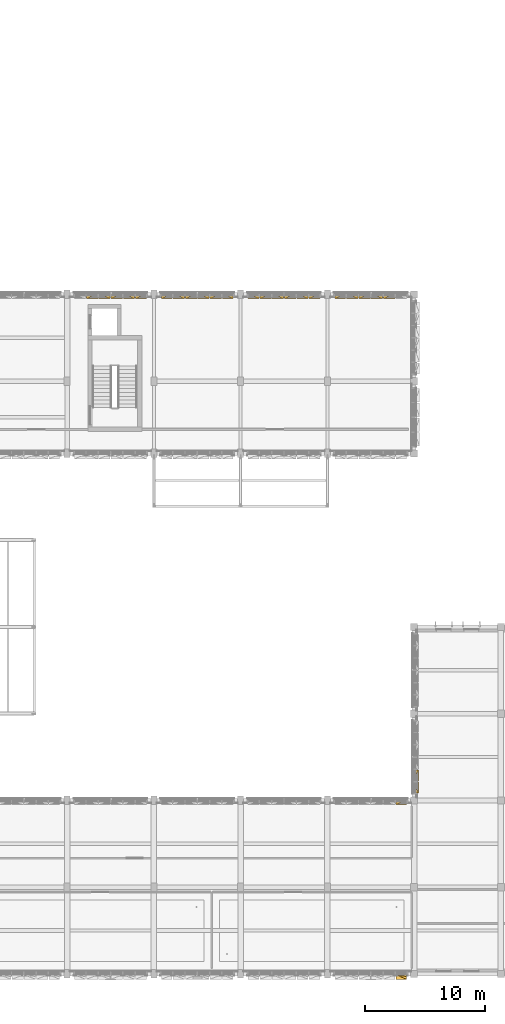
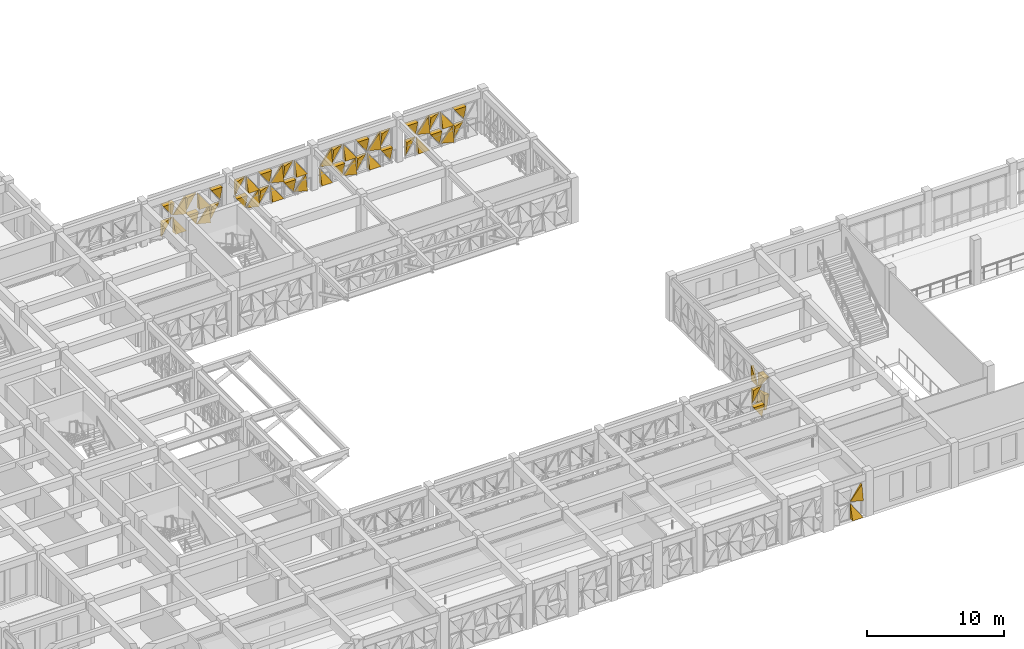
# One storey, part 87 of 88: 52 coverings.
"""IFC4 building model written with IfcOpenShell, lengths in metres."""

from ifc_helpers import new_model, si_unit, direction, frame, origin, place, context, subcontext, project, spatial, polygons, material, layer, layer_set, type_object, element, save


model = new_model("IFC4")

# Units and contexts
model_context = context("Model", 3, precision=1e-05, world=origin(), true_north=direction((0.0, 1.0)))
body_context = subcontext(model_context, "Body", "Model", "MODEL_VIEW")
ifc_project = project(units=[si_unit("LENGTHUNIT", "METRE"), si_unit("AREAUNIT", "SQUARE_METRE"), si_unit("VOLUMEUNIT", "CUBIC_METRE"), si_unit("PLANEANGLEUNIT", "RADIAN"), si_unit("MASSUNIT", "GRAM", prefix="KILO")], contexts=[model_context])

# Site, building, storey
site_placement = place(None, origin())
site = spatial("IfcSite", under=ifc_project, at=site_placement, CompositionType="ELEMENT")
building_placement = place(site_placement, origin())
building = spatial("IfcBuilding", under=site, at=building_placement, Name="Alvorim Cloister Faculty of Sciences", CompositionType="ELEMENT")
storey_placement = place(building_placement, frame((0.0, 0.0, 4.5)))
storey = spatial("IfcBuildingStorey", under=building, at=storey_placement, Name="L01", CompositionType="ELEMENT", Elevation=4.5)

# Coverings
ifc_material = material(Name="Perforated Bronze Alloy Sheet", Category="metal")
ifc_layer = layer(ifc_material, 0.0380859375)
ifc_layer_set = layer_set([ifc_layer], Name="Perforated Bronze Alloy Sheet")
covering_type = type_object("IfcCoveringType", Name="COV-TRI-BRZ", PredefinedType="CLADDING", material=ifc_layer_set)
covering_1_placement = place(storey_placement, frame((37.597412109375, 56.445068359375, 0.159912109375), z_axis=(0.0, 0.0, 1.0), x_axis=(1.0, 0.0, 0.0)))
element("IfcCovering", 1, at=covering_1_placement, inside=storey, type_object=covering_type, Name="Diagonal Solid Metal Triangle TRI-TL", PredefinedType="CLADDING", context=body_context, shape_type="Tessellation", body=[
    polygons([(0.943068359375, 0.0260009765625, 1.344970703125), (0.0, 0.0260009765625, 1.344970703125), (0.0, 0.0260009765625, 0.002), (0.943068359375, -0.03, 1.344970703125), (0.0, -0.4, 1.344970703125), (0.0, -0.13999999999999999, 0.002)], [[[1, 3, 2]], [[4, 5, 6]], [[1, 2, 5, 4]], [[2, 3, 6, 5]], [[3, 1, 4, 6]]], closed=True),
])
covering_2_placement = place(storey_placement, frame((37.597412109375, 56.445068359375, 1.6650390625), z_axis=(0.0, 0.0, 1.0), x_axis=(1.0, 0.0, 0.0)))
element("IfcCovering", 2, at=covering_2_placement, inside=storey, type_object=covering_type, Name="Diagonal Solid Metal Triangle TRI-TR", PredefinedType="CLADDING", context=body_context, shape_type="Tessellation", body=[
    polygons([(0.945068359375, 0.0260009765625, 0.002), (0.945068359375, 0.0260009765625, 1.344970703125), (0.002, 0.0260009765625, 1.344970703125), (0.945068359375, -0.03, 0.002), (0.945068359375, -0.4, 1.344970703125), (0.002, -0.4, 1.344970703125)], [[[1, 3, 2]], [[4, 5, 6]], [[1, 2, 5, 4]], [[2, 3, 6, 5]], [[3, 1, 4, 6]]], closed=True),
])
covering_3_placement = place(storey_placement, frame((38.617431640625, 56.445068359375, 0.159912109375), z_axis=(0.0, 0.0, 1.0), x_axis=(1.0, 0.0, 0.0)))
element("IfcCovering", 3, at=covering_3_placement, inside=storey, type_object=covering_type, Name="Diagonal Solid Metal Triangle TRI-BL", PredefinedType="CLADDING", context=body_context, shape_type="Tessellation", body=[
    polygons([(0.0, 0.0260009765625, 0.0), (0.943068359375, 0.0260009765625, 0.0), (0.0, 0.0260009765625, 1.342970703125), (0.0, -0.4, 0.0), (0.943068359375, -0.4, 0.0), (0.0, -0.03, 1.342970703125)], [[[1, 3, 2]], [[4, 5, 6]], [[1, 2, 5, 4]], [[2, 3, 6, 5]], [[3, 1, 4, 6]]], closed=True),
])
covering_4_placement = place(storey_placement, frame((38.617431640625, 56.445068359375, 1.6650390625), z_axis=(0.0, 0.0, 1.0), x_axis=(1.0, 0.0, 0.0)))
element("IfcCovering", 4, at=covering_4_placement, inside=storey, type_object=covering_type, Name="Diagonal Solid Metal Triangle TRI-BR", PredefinedType="CLADDING", context=body_context, shape_type="Tessellation", body=[
    polygons([(0.002, 0.0260009765625, 0.0), (0.945068359375, 0.0260009765625, 0.0), (0.945068359375, 0.0260009765625, 1.342970703125), (0.002, -0.03, 0.0), (0.945068359375, -0.4, 0.0), (0.945068359375, -0.18000000000000002, 1.342970703125)], [[[1, 3, 2]], [[4, 5, 6]], [[1, 2, 5, 4]], [[2, 3, 6, 5]], [[3, 1, 4, 6]]], closed=True),
])
covering_5_placement = place(storey_placement, frame((39.637451171875, 56.445068359375, 0.159912109375), z_axis=(0.0, 0.0, 1.0), x_axis=(1.0, 0.0, 0.0)))
element("IfcCovering", 5, at=covering_5_placement, inside=storey, type_object=covering_type, Name="Diagonal Solid Metal Triangle TRI-TR", PredefinedType="CLADDING", context=body_context, shape_type="Tessellation", body=[
    polygons([(0.945068359375, 0.0260009765625, 0.002), (0.945068359375, 0.0260009765625, 1.344970703125), (0.002, 0.0260009765625, 1.344970703125), (0.945068359375, -0.03, 0.002), (0.945068359375, -0.4, 1.344970703125), (0.002, -0.4, 1.344970703125)], [[[1, 3, 2]], [[4, 5, 6]], [[1, 2, 5, 4]], [[2, 3, 6, 5]], [[3, 1, 4, 6]]], closed=True),
])
covering_6_placement = place(storey_placement, frame((39.637451171875, 56.445068359375, 1.6650390625), z_axis=(0.0, 0.0, 1.0), x_axis=(1.0, 0.0, 0.0)))
element("IfcCovering", 6, at=covering_6_placement, inside=storey, type_object=covering_type, Name="Diagonal Solid Metal Triangle TRI-TL", PredefinedType="CLADDING", context=body_context, shape_type="Tessellation", body=[
    polygons([(0.943068359375, 0.0260009765625, 1.344970703125), (0.0, 0.0260009765625, 1.344970703125), (0.0, 0.0260009765625, 0.002), (0.943068359375, -0.03, 1.344970703125), (0.0, -0.4, 1.344970703125), (0.0, -0.13999999999999999, 0.002)], [[[1, 3, 2]], [[4, 5, 6]], [[1, 2, 5, 4]], [[2, 3, 6, 5]], [[3, 1, 4, 6]]], closed=True),
])
covering_7_placement = place(storey_placement, frame((40.657470703125, 56.445068359375, 0.159912109375), z_axis=(0.0, 0.0, 1.0), x_axis=(1.0, 0.0, 0.0)))
element("IfcCovering", 7, at=covering_7_placement, inside=storey, type_object=covering_type, Name="Diagonal Solid Metal Triangle TRI-BR", PredefinedType="CLADDING", context=body_context, shape_type="Tessellation", body=[
    polygons([(0.002, 0.0260009765625, 0.0), (0.945068359375, 0.0260009765625, 0.0), (0.945068359375, 0.0260009765625, 1.342970703125), (0.002, -0.03, 0.0), (0.945068359375, -0.4, 0.0), (0.945068359375, -0.18000000000000002, 1.342970703125)], [[[1, 3, 2]], [[4, 5, 6]], [[1, 2, 5, 4]], [[2, 3, 6, 5]], [[3, 1, 4, 6]]], closed=True),
])
covering_8_placement = place(storey_placement, frame((40.657470703125, 56.445068359375, 1.6650390625), z_axis=(0.0, 0.0, 1.0), x_axis=(1.0, 0.0, 0.0)))
element("IfcCovering", 8, at=covering_8_placement, inside=storey, type_object=covering_type, Name="Diagonal Solid Metal Triangle TRI-BL", PredefinedType="CLADDING", context=body_context, shape_type="Tessellation", body=[
    polygons([(0.0, 0.0260009765625, 0.0), (0.943068359375, 0.0260009765625, 0.0), (0.0, 0.0260009765625, 1.342970703125), (0.0, -0.4, 0.0), (0.943068359375, -0.4, 0.0), (0.0, -0.03, 1.342970703125)], [[[1, 3, 2]], [[4, 5, 6]], [[1, 2, 5, 4]], [[2, 3, 6, 5]], [[3, 1, 4, 6]]], closed=True),
])
covering_9_placement = place(storey_placement, frame((41.677490234375, 56.445068359375, 0.159912109375), z_axis=(0.0, 0.0, 1.0), x_axis=(1.0, 0.0, 0.0)))
element("IfcCovering", 9, at=covering_9_placement, inside=storey, type_object=covering_type, Name="Diagonal Solid Metal Triangle TRI-TL", PredefinedType="CLADDING", context=body_context, shape_type="Tessellation", body=[
    polygons([(0.905470703125, 0.0260009765625, 1.344970703125), (0.0, 0.0260009765625, 1.344970703125), (0.0, 0.0260009765625, 0.002), (0.905470703125, -0.03, 1.344970703125), (0.0, -0.4, 1.344970703125), (0.0, -0.13999999999999999, 0.002)], [[[1, 3, 2]], [[4, 5, 6]], [[1, 2, 5, 4]], [[2, 3, 6, 5]], [[3, 1, 4, 6]]], closed=True),
])
for number, where, z_axis, x_axis, name in (
    (10, (41.677490234375, 56.445068359375, 1.6650390625), (0.0, 0.0, 1.0), (1.0, 0.0, 0.0), "Diagonal Solid Metal Triangle TRI-TR"),
    (11, (43.81494140625, 56.445068359375, 0.159912109375), (0.0, 0.0, 1.0), (1.0, 0.0, 0.0), "Diagonal Solid Metal Triangle TRI-TR"),
):
    element("IfcCovering", number, at=place(storey_placement, frame(where, z_axis=z_axis, x_axis=x_axis)), inside=storey, type_object=covering_type, Name=name, PredefinedType="CLADDING", context=body_context, shape_type="Tessellation", body=[
        polygons([(0.907470703125, 0.0260009765625, 0.002), (0.907470703125, 0.0260009765625, 1.344970703125), (0.002, 0.0260009765625, 1.344970703125), (0.907470703125, -0.03, 0.002), (0.907470703125, -0.4, 1.344970703125), (0.002, -0.4, 1.344970703125)], [[[1, 3, 2]], [[4, 5, 6]], [[1, 2, 5, 4]], [[2, 3, 6, 5]], [[3, 1, 4, 6]]], closed=True),
    ])
covering_10_placement = place(storey_placement, frame((43.81494140625, 56.445068359375, 1.6650390625), z_axis=(0.0, 0.0, 1.0), x_axis=(1.0, 0.0, 0.0)))
element("IfcCovering", 12, at=covering_10_placement, inside=storey, type_object=covering_type, Name="Diagonal Solid Metal Triangle TRI-TL", PredefinedType="CLADDING", context=body_context, shape_type="Tessellation", body=[
    polygons([(0.905470703125, 0.0260009765625, 1.344970703125), (0.0, 0.0260009765625, 1.344970703125), (0.0, 0.0260009765625, 0.002), (0.905470703125, -0.03, 1.344970703125), (0.0, -0.4, 1.344970703125), (0.0, -0.13999999999999999, 0.002)], [[[1, 3, 2]], [[4, 5, 6]], [[1, 2, 5, 4]], [[2, 3, 6, 5]], [[3, 1, 4, 6]]], closed=True),
])
covering_11_placement = place(storey_placement, frame((44.797607421875, 56.445068359375, 0.159912109375), z_axis=(0.0, 0.0, 1.0), x_axis=(1.0, 0.0, 0.0)))
element("IfcCovering", 13, at=covering_11_placement, inside=storey, type_object=covering_type, Name="Diagonal Solid Metal Triangle TRI-BR", PredefinedType="CLADDING", context=body_context, shape_type="Tessellation", body=[
    polygons([(0.002, 0.0260009765625, 0.0), (0.945068359375, 0.0260009765625, 0.0), (0.945068359375, 0.0260009765625, 1.342970703125), (0.002, -0.03, 0.0), (0.945068359375, -0.4, 0.0), (0.945068359375, -0.18000000000000002, 1.342970703125)], [[[1, 3, 2]], [[4, 5, 6]], [[1, 2, 5, 4]], [[2, 3, 6, 5]], [[3, 1, 4, 6]]], closed=True),
])
covering_12_placement = place(storey_placement, frame((44.797607421875, 56.445068359375, 1.6650390625), z_axis=(0.0, 0.0, 1.0), x_axis=(1.0, 0.0, 0.0)))
element("IfcCovering", 14, at=covering_12_placement, inside=storey, type_object=covering_type, Name="Diagonal Solid Metal Triangle TRI-BL", PredefinedType="CLADDING", context=body_context, shape_type="Tessellation", body=[
    polygons([(0.0, 0.0260009765625, 0.0), (0.943068359375, 0.0260009765625, 0.0), (0.0, 0.0260009765625, 1.342970703125), (0.0, -0.4, 0.0), (0.943068359375, -0.4, 0.0), (0.0, -0.03, 1.342970703125)], [[[1, 3, 2]], [[4, 5, 6]], [[1, 2, 5, 4]], [[2, 3, 6, 5]], [[3, 1, 4, 6]]], closed=True),
])
covering_13_placement = place(storey_placement, frame((45.8173828125, 56.445068359375, 0.159912109375), z_axis=(0.0, 0.0, 1.0), x_axis=(1.0, 0.0, 0.0)))
element("IfcCovering", 15, at=covering_13_placement, inside=storey, type_object=covering_type, Name="Diagonal Solid Metal Triangle TRI-TL", PredefinedType="CLADDING", context=body_context, shape_type="Tessellation", body=[
    polygons([(0.943068359375, 0.0260009765625, 1.344970703125), (0.0, 0.0260009765625, 1.344970703125), (0.0, 0.0260009765625, 0.002), (0.943068359375, -0.03, 1.344970703125), (0.0, -0.4, 1.344970703125), (0.0, -0.13999999999999999, 0.002)], [[[1, 3, 2]], [[4, 5, 6]], [[1, 2, 5, 4]], [[2, 3, 6, 5]], [[3, 1, 4, 6]]], closed=True),
])
covering_14_placement = place(storey_placement, frame((45.8173828125, 56.445068359375, 1.6650390625), z_axis=(0.0, 0.0, 1.0), x_axis=(1.0, 0.0, 0.0)))
element("IfcCovering", 16, at=covering_14_placement, inside=storey, type_object=covering_type, Name="Diagonal Solid Metal Triangle TRI-TR", PredefinedType="CLADDING", context=body_context, shape_type="Tessellation", body=[
    polygons([(0.945068359375, 0.0260009765625, 0.002), (0.945068359375, 0.0260009765625, 1.344970703125), (0.002, 0.0260009765625, 1.344970703125), (0.945068359375, -0.03, 0.002), (0.945068359375, -0.4, 1.344970703125), (0.002, -0.4, 1.344970703125)], [[[1, 3, 2]], [[4, 5, 6]], [[1, 2, 5, 4]], [[2, 3, 6, 5]], [[3, 1, 4, 6]]], closed=True),
])
covering_15_placement = place(storey_placement, frame((46.83740234375, 56.445068359375, 0.159912109375), z_axis=(0.0, 0.0, 1.0), x_axis=(1.0, 0.0, 0.0)))
element("IfcCovering", 17, at=covering_15_placement, inside=storey, type_object=covering_type, Name="Diagonal Solid Metal Triangle TRI-BL", PredefinedType="CLADDING", context=body_context, shape_type="Tessellation", body=[
    polygons([(0.0, 0.0260009765625, 0.0), (0.943068359375, 0.0260009765625, 0.0), (0.0, 0.0260009765625, 1.342970703125), (0.0, -0.4, 0.0), (0.943068359375, -0.4, 0.0), (0.0, -0.03, 1.342970703125)], [[[1, 3, 2]], [[4, 5, 6]], [[1, 2, 5, 4]], [[2, 3, 6, 5]], [[3, 1, 4, 6]]], closed=True),
])
covering_16_placement = place(storey_placement, frame((46.83740234375, 56.445068359375, 1.6650390625), z_axis=(0.0, 0.0, 1.0), x_axis=(1.0, 0.0, 0.0)))
element("IfcCovering", 18, at=covering_16_placement, inside=storey, type_object=covering_type, Name="Diagonal Solid Metal Triangle TRI-BR", PredefinedType="CLADDING", context=body_context, shape_type="Tessellation", body=[
    polygons([(0.002, 0.0260009765625, 0.0), (0.945068359375, 0.0260009765625, 0.0), (0.945068359375, 0.0260009765625, 1.342970703125), (0.002, -0.03, 0.0), (0.945068359375, -0.4, 0.0), (0.945068359375, -0.18000000000000002, 1.342970703125)], [[[1, 3, 2]], [[4, 5, 6]], [[1, 2, 5, 4]], [[2, 3, 6, 5]], [[3, 1, 4, 6]]], closed=True),
])
covering_17_placement = place(storey_placement, frame((47.857421875, 56.445068359375, 0.159912109375), z_axis=(0.0, 0.0, 1.0), x_axis=(1.0, 0.0, 0.0)))
element("IfcCovering", 19, at=covering_17_placement, inside=storey, type_object=covering_type, Name="Diagonal Solid Metal Triangle TRI-TR", PredefinedType="CLADDING", context=body_context, shape_type="Tessellation", body=[
    polygons([(0.945068359375, 0.0260009765625, 0.002), (0.945068359375, 0.0260009765625, 1.344970703125), (0.002, 0.0260009765625, 1.344970703125), (0.945068359375, -0.03, 0.002), (0.945068359375, -0.4, 1.344970703125), (0.002, -0.4, 1.344970703125)], [[[1, 3, 2]], [[4, 5, 6]], [[1, 2, 5, 4]], [[2, 3, 6, 5]], [[3, 1, 4, 6]]], closed=True),
])
covering_18_placement = place(storey_placement, frame((47.857421875, 56.445068359375, 1.6650390625), z_axis=(0.0, 0.0, 1.0), x_axis=(1.0, 0.0, 0.0)))
element("IfcCovering", 20, at=covering_18_placement, inside=storey, type_object=covering_type, Name="Diagonal Solid Metal Triangle TRI-TL", PredefinedType="CLADDING", context=body_context, shape_type="Tessellation", body=[
    polygons([(0.943068359375, 0.0260009765625, 1.344970703125), (0.0, 0.0260009765625, 1.344970703125), (0.0, 0.0260009765625, 0.002), (0.943068359375, -0.03, 1.344970703125), (0.0, -0.4, 1.344970703125), (0.0, -0.13999999999999999, 0.002)], [[[1, 3, 2]], [[4, 5, 6]], [[1, 2, 5, 4]], [[2, 3, 6, 5]], [[3, 1, 4, 6]]], closed=True),
])
covering_19_placement = place(storey_placement, frame((48.87744140625, 56.445068359375, 0.159912109375), z_axis=(0.0, 0.0, 1.0), x_axis=(1.0, 0.0, 0.0)))
element("IfcCovering", 21, at=covering_19_placement, inside=storey, type_object=covering_type, Name="Diagonal Solid Metal Triangle TRI-BR", PredefinedType="CLADDING", context=body_context, shape_type="Tessellation", body=[
    polygons([(0.002, 0.0260009765625, 0.0), (0.907470703125, 0.0260009765625, 0.0), (0.907470703125, 0.0260009765625, 1.342970703125), (0.002, -0.03, 0.0), (0.907470703125, -0.4, 0.0), (0.907470703125, -0.18000000000000002, 1.342970703125)], [[[1, 3, 2]], [[4, 5, 6]], [[1, 2, 5, 4]], [[2, 3, 6, 5]], [[3, 1, 4, 6]]], closed=True),
])
for number, where, z_axis, x_axis, name in (
    (22, (48.87744140625, 56.445068359375, 1.6650390625), (0.0, 0.0, 1.0), (1.0, 0.0, 0.0), "Diagonal Solid Metal Triangle TRI-BL"),
    (23, (51.014892578125, 56.445068359375, 0.159912109375), (0.0, 0.0, 1.0), (1.0, 0.0, 0.0), "Diagonal Solid Metal Triangle TRI-BL"),
):
    element("IfcCovering", number, at=place(storey_placement, frame(where, z_axis=z_axis, x_axis=x_axis)), inside=storey, type_object=covering_type, Name=name, PredefinedType="CLADDING", context=body_context, shape_type="Tessellation", body=[
        polygons([(0.0, 0.0260009765625, 0.0), (0.905470703125, 0.0260009765625, 0.0), (0.0, 0.0260009765625, 1.342970703125), (0.0, -0.4, 0.0), (0.905470703125, -0.4, 0.0), (0.0, -0.03, 1.342970703125)], [[[1, 3, 2]], [[4, 5, 6]], [[1, 2, 5, 4]], [[2, 3, 6, 5]], [[3, 1, 4, 6]]], closed=True),
    ])
covering_20_placement = place(storey_placement, frame((51.014892578125, 56.445068359375, 1.6650390625), z_axis=(0.0, 0.0, 1.0), x_axis=(1.0, 0.0, 0.0)))
element("IfcCovering", 24, at=covering_20_placement, inside=storey, type_object=covering_type, Name="Diagonal Solid Metal Triangle TRI-BR", PredefinedType="CLADDING", context=body_context, shape_type="Tessellation", body=[
    polygons([(0.002, 0.0260009765625, 0.0), (0.907470703125, 0.0260009765625, 0.0), (0.907470703125, 0.0260009765625, 1.342970703125), (0.002, -0.03, 0.0), (0.907470703125, -0.4, 0.0), (0.907470703125, -0.18000000000000002, 1.342970703125)], [[[1, 3, 2]], [[4, 5, 6]], [[1, 2, 5, 4]], [[2, 3, 6, 5]], [[3, 1, 4, 6]]], closed=True),
])
covering_21_placement = place(storey_placement, frame((51.99755859375, 56.445068359375, 0.159912109375), z_axis=(0.0, 0.0, 1.0), x_axis=(1.0, 0.0, 0.0)))
element("IfcCovering", 25, at=covering_21_placement, inside=storey, type_object=covering_type, Name="Diagonal Solid Metal Triangle TRI-TR", PredefinedType="CLADDING", context=body_context, shape_type="Tessellation", body=[
    polygons([(0.945068359375, 0.0260009765625, 0.002), (0.945068359375, 0.0260009765625, 1.344970703125), (0.002, 0.0260009765625, 1.344970703125), (0.945068359375, -0.03, 0.002), (0.945068359375, -0.4, 1.344970703125), (0.002, -0.4, 1.344970703125)], [[[1, 3, 2]], [[4, 5, 6]], [[1, 2, 5, 4]], [[2, 3, 6, 5]], [[3, 1, 4, 6]]], closed=True),
])
covering_22_placement = place(storey_placement, frame((51.99755859375, 56.445068359375, 1.6650390625), z_axis=(0.0, 0.0, 1.0), x_axis=(1.0, 0.0, 0.0)))
element("IfcCovering", 26, at=covering_22_placement, inside=storey, type_object=covering_type, Name="Diagonal Solid Metal Triangle TRI-TL", PredefinedType="CLADDING", context=body_context, shape_type="Tessellation", body=[
    polygons([(0.943068359375, 0.0260009765625, 1.344970703125), (0.0, 0.0260009765625, 1.344970703125), (0.0, 0.0260009765625, 0.002), (0.943068359375, -0.03, 1.344970703125), (0.0, -0.4, 1.344970703125), (0.0, -0.13999999999999999, 0.002)], [[[1, 3, 2]], [[4, 5, 6]], [[1, 2, 5, 4]], [[2, 3, 6, 5]], [[3, 1, 4, 6]]], closed=True),
])
covering_23_placement = place(storey_placement, frame((53.017578125, 56.445068359375, 0.159912109375), z_axis=(0.0, 0.0, 1.0), x_axis=(1.0, 0.0, 0.0)))
element("IfcCovering", 27, at=covering_23_placement, inside=storey, type_object=covering_type, Name="Diagonal Solid Metal Triangle TRI-BR", PredefinedType="CLADDING", context=body_context, shape_type="Tessellation", body=[
    polygons([(0.002, 0.0260009765625, 0.0), (0.945068359375, 0.0260009765625, 0.0), (0.945068359375, 0.0260009765625, 1.342970703125), (0.002, -0.03, 0.0), (0.945068359375, -0.4, 0.0), (0.945068359375, -0.18000000000000002, 1.342970703125)], [[[1, 3, 2]], [[4, 5, 6]], [[1, 2, 5, 4]], [[2, 3, 6, 5]], [[3, 1, 4, 6]]], closed=True),
])
covering_24_placement = place(storey_placement, frame((53.017578125, 56.445068359375, 1.6650390625), z_axis=(0.0, 0.0, 1.0), x_axis=(1.0, 0.0, 0.0)))
element("IfcCovering", 28, at=covering_24_placement, inside=storey, type_object=covering_type, Name="Diagonal Solid Metal Triangle TRI-BL", PredefinedType="CLADDING", context=body_context, shape_type="Tessellation", body=[
    polygons([(0.0, 0.0260009765625, 0.0), (0.943068359375, 0.0260009765625, 0.0), (0.0, 0.0260009765625, 1.342970703125), (0.0, -0.4, 0.0), (0.943068359375, -0.4, 0.0), (0.0, -0.03, 1.342970703125)], [[[1, 3, 2]], [[4, 5, 6]], [[1, 2, 5, 4]], [[2, 3, 6, 5]], [[3, 1, 4, 6]]], closed=True),
])
covering_25_placement = place(storey_placement, frame((54.03759765625, 56.445068359375, 0.159912109375), z_axis=(0.0, 0.0, 1.0), x_axis=(1.0, 0.0, 0.0)))
element("IfcCovering", 29, at=covering_25_placement, inside=storey, type_object=covering_type, Name="Diagonal Solid Metal Triangle TRI-TL", PredefinedType="CLADDING", context=body_context, shape_type="Tessellation", body=[
    polygons([(0.943068359375, 0.0260009765625, 1.344970703125), (0.0, 0.0260009765625, 1.344970703125), (0.0, 0.0260009765625, 0.002), (0.943068359375, -0.03, 1.344970703125), (0.0, -0.4, 1.344970703125), (0.0, -0.13999999999999999, 0.002)], [[[1, 3, 2]], [[4, 5, 6]], [[1, 2, 5, 4]], [[2, 3, 6, 5]], [[3, 1, 4, 6]]], closed=True),
])
covering_26_placement = place(storey_placement, frame((54.03759765625, 56.445068359375, 1.6650390625), z_axis=(0.0, 0.0, 1.0), x_axis=(1.0, 0.0, 0.0)))
element("IfcCovering", 30, at=covering_26_placement, inside=storey, type_object=covering_type, Name="Diagonal Solid Metal Triangle TRI-TR", PredefinedType="CLADDING", context=body_context, shape_type="Tessellation", body=[
    polygons([(0.945068359375, 0.0260009765625, 0.002), (0.945068359375, 0.0260009765625, 1.344970703125), (0.002, 0.0260009765625, 1.344970703125), (0.945068359375, -0.03, 0.002), (0.945068359375, -0.4, 1.344970703125), (0.002, -0.4, 1.344970703125)], [[[1, 3, 2]], [[4, 5, 6]], [[1, 2, 5, 4]], [[2, 3, 6, 5]], [[3, 1, 4, 6]]], closed=True),
])
covering_27_placement = place(storey_placement, frame((55.0576171875, 56.445068359375, 0.159912109375), z_axis=(0.0, 0.0, 1.0), x_axis=(1.0, 0.0, 0.0)))
element("IfcCovering", 31, at=covering_27_placement, inside=storey, type_object=covering_type, Name="Diagonal Solid Metal Triangle TRI-BL", PredefinedType="CLADDING", context=body_context, shape_type="Tessellation", body=[
    polygons([(0.0, 0.0260009765625, 0.0), (0.943068359375, 0.0260009765625, 0.0), (0.0, 0.0260009765625, 1.342970703125), (0.0, -0.4, 0.0), (0.943068359375, -0.4, 0.0), (0.0, -0.03, 1.342970703125)], [[[1, 3, 2]], [[4, 5, 6]], [[1, 2, 5, 4]], [[2, 3, 6, 5]], [[3, 1, 4, 6]]], closed=True),
])
covering_28_placement = place(storey_placement, frame((55.0576171875, 56.445068359375, 1.6650390625), z_axis=(0.0, 0.0, 1.0), x_axis=(1.0, 0.0, 0.0)))
element("IfcCovering", 32, at=covering_28_placement, inside=storey, type_object=covering_type, Name="Diagonal Solid Metal Triangle TRI-BR", PredefinedType="CLADDING", context=body_context, shape_type="Tessellation", body=[
    polygons([(0.002, 0.0260009765625, 0.0), (0.945068359375, 0.0260009765625, 0.0), (0.945068359375, 0.0260009765625, 1.342970703125), (0.002, -0.03, 0.0), (0.945068359375, -0.4, 0.0), (0.945068359375, -0.18000000000000002, 1.342970703125)], [[[1, 3, 2]], [[4, 5, 6]], [[1, 2, 5, 4]], [[2, 3, 6, 5]], [[3, 1, 4, 6]]], closed=True),
])
covering_29_placement = place(storey_placement, frame((56.077392578125, 56.445068359375, 0.159912109375), z_axis=(0.0, 0.0, 1.0), x_axis=(1.0, 0.0, 0.0)))
element("IfcCovering", 33, at=covering_29_placement, inside=storey, type_object=covering_type, Name="Diagonal Solid Metal Triangle TRI-TR", PredefinedType="CLADDING", context=body_context, shape_type="Tessellation", body=[
    polygons([(0.907470703125, 0.0260009765625, 0.002), (0.907470703125, 0.0260009765625, 1.344970703125), (0.002, 0.0260009765625, 1.344970703125), (0.907470703125, -0.03, 0.002), (0.907470703125, -0.4, 1.344970703125), (0.002, -0.4, 1.344970703125)], [[[1, 3, 2]], [[4, 5, 6]], [[1, 2, 5, 4]], [[2, 3, 6, 5]], [[3, 1, 4, 6]]], closed=True),
])
for number, where, z_axis, x_axis, name in (
    (34, (56.077392578125, 56.445068359375, 1.6650390625), (0.0, 0.0, 1.0), (1.0, 0.0, 0.0), "Diagonal Solid Metal Triangle TRI-TL"),
    (35, (58.215087890625, 56.445068359375, 0.159912109375), (0.0, 0.0, 1.0), (1.0, 0.0, 0.0), "Diagonal Solid Metal Triangle TRI-TL"),
):
    element("IfcCovering", number, at=place(storey_placement, frame(where, z_axis=z_axis, x_axis=x_axis)), inside=storey, type_object=covering_type, Name=name, PredefinedType="CLADDING", context=body_context, shape_type="Tessellation", body=[
        polygons([(0.905470703125, 0.0260009765625, 1.344970703125), (0.0, 0.0260009765625, 1.344970703125), (0.0, 0.0260009765625, 0.002), (0.905470703125, -0.03, 1.344970703125), (0.0, -0.4, 1.344970703125), (0.0, -0.13999999999999999, 0.002)], [[[1, 3, 2]], [[4, 5, 6]], [[1, 2, 5, 4]], [[2, 3, 6, 5]], [[3, 1, 4, 6]]], closed=True),
    ])
covering_30_placement = place(storey_placement, frame((58.215087890625, 56.445068359375, 1.6650390625), z_axis=(0.0, 0.0, 1.0), x_axis=(1.0, 0.0, 0.0)))
element("IfcCovering", 36, at=covering_30_placement, inside=storey, type_object=covering_type, Name="Diagonal Solid Metal Triangle TRI-TR", PredefinedType="CLADDING", context=body_context, shape_type="Tessellation", body=[
    polygons([(0.907470703125, 0.0260009765625, 0.002), (0.907470703125, 0.0260009765625, 1.344970703125), (0.002, 0.0260009765625, 1.344970703125), (0.907470703125, -0.03, 0.002), (0.907470703125, -0.4, 1.344970703125), (0.002, -0.4, 1.344970703125)], [[[1, 3, 2]], [[4, 5, 6]], [[1, 2, 5, 4]], [[2, 3, 6, 5]], [[3, 1, 4, 6]]], closed=True),
])
covering_31_placement = place(storey_placement, frame((59.197509765625, 56.445068359375, 0.159912109375), z_axis=(0.0, 0.0, 1.0), x_axis=(1.0, 0.0, 0.0)))
element("IfcCovering", 37, at=covering_31_placement, inside=storey, type_object=covering_type, Name="Diagonal Solid Metal Triangle TRI-BL", PredefinedType="CLADDING", context=body_context, shape_type="Tessellation", body=[
    polygons([(0.0, 0.0260009765625, 0.0), (0.943068359375, 0.0260009765625, 0.0), (0.0, 0.0260009765625, 1.342970703125), (0.0, -0.4, 0.0), (0.943068359375, -0.4, 0.0), (0.0, -0.03, 1.342970703125)], [[[1, 3, 2]], [[4, 5, 6]], [[1, 2, 5, 4]], [[2, 3, 6, 5]], [[3, 1, 4, 6]]], closed=True),
])
covering_32_placement = place(storey_placement, frame((59.197509765625, 56.445068359375, 1.6650390625), z_axis=(0.0, 0.0, 1.0), x_axis=(1.0, 0.0, 0.0)))
element("IfcCovering", 38, at=covering_32_placement, inside=storey, type_object=covering_type, Name="Diagonal Solid Metal Triangle TRI-BR", PredefinedType="CLADDING", context=body_context, shape_type="Tessellation", body=[
    polygons([(0.002, 0.0260009765625, 0.0), (0.945068359375, 0.0260009765625, 0.0), (0.945068359375, 0.0260009765625, 1.342970703125), (0.002, -0.03, 0.0), (0.945068359375, -0.4, 0.0), (0.945068359375, -0.18000000000000002, 1.342970703125)], [[[1, 3, 2]], [[4, 5, 6]], [[1, 2, 5, 4]], [[2, 3, 6, 5]], [[3, 1, 4, 6]]], closed=True),
])
covering_33_placement = place(storey_placement, frame((60.217529296875, 56.445068359375, 0.159912109375), z_axis=(0.0, 0.0, 1.0), x_axis=(1.0, 0.0, 0.0)))
element("IfcCovering", 39, at=covering_33_placement, inside=storey, type_object=covering_type, Name="Diagonal Solid Metal Triangle TRI-TR", PredefinedType="CLADDING", context=body_context, shape_type="Tessellation", body=[
    polygons([(0.945068359375, 0.0260009765625, 0.002), (0.945068359375, 0.0260009765625, 1.344970703125), (0.002, 0.0260009765625, 1.344970703125), (0.945068359375, -0.03, 0.002), (0.945068359375, -0.4, 1.344970703125), (0.002, -0.4, 1.344970703125)], [[[1, 3, 2]], [[4, 5, 6]], [[1, 2, 5, 4]], [[2, 3, 6, 5]], [[3, 1, 4, 6]]], closed=True),
])
covering_34_placement = place(storey_placement, frame((60.217529296875, 56.445068359375, 1.6650390625), z_axis=(0.0, 0.0, 1.0), x_axis=(1.0, 0.0, 0.0)))
element("IfcCovering", 40, at=covering_34_placement, inside=storey, type_object=covering_type, Name="Diagonal Solid Metal Triangle TRI-TL", PredefinedType="CLADDING", context=body_context, shape_type="Tessellation", body=[
    polygons([(0.943068359375, 0.0260009765625, 1.344970703125), (0.0, 0.0260009765625, 1.344970703125), (0.0, 0.0260009765625, 0.002), (0.943068359375, -0.03, 1.344970703125), (0.0, -0.4, 1.344970703125), (0.0, -0.13999999999999999, 0.002)], [[[1, 3, 2]], [[4, 5, 6]], [[1, 2, 5, 4]], [[2, 3, 6, 5]], [[3, 1, 4, 6]]], closed=True),
])
covering_35_placement = place(storey_placement, frame((61.237548828125, 56.445068359375, 0.159912109375), z_axis=(0.0, 0.0, 1.0), x_axis=(1.0, 0.0, 0.0)))
element("IfcCovering", 41, at=covering_35_placement, inside=storey, type_object=covering_type, Name="Diagonal Solid Metal Triangle TRI-BR", PredefinedType="CLADDING", context=body_context, shape_type="Tessellation", body=[
    polygons([(0.002, 0.0260009765625, 0.0), (0.945068359375, 0.0260009765625, 0.0), (0.945068359375, 0.0260009765625, 1.342970703125), (0.002, -0.03, 0.0), (0.945068359375, -0.4, 0.0), (0.945068359375, -0.18000000000000002, 1.342970703125)], [[[1, 3, 2]], [[4, 5, 6]], [[1, 2, 5, 4]], [[2, 3, 6, 5]], [[3, 1, 4, 6]]], closed=True),
])
covering_36_placement = place(storey_placement, frame((61.237548828125, 56.445068359375, 1.6650390625), z_axis=(0.0, 0.0, 1.0), x_axis=(1.0, 0.0, 0.0)))
element("IfcCovering", 42, at=covering_36_placement, inside=storey, type_object=covering_type, Name="Diagonal Solid Metal Triangle TRI-BL", PredefinedType="CLADDING", context=body_context, shape_type="Tessellation", body=[
    polygons([(0.0, 0.0260009765625, 0.0), (0.943068359375, 0.0260009765625, 0.0), (0.0, 0.0260009765625, 1.342970703125), (0.0, -0.4, 0.0), (0.943068359375, -0.4, 0.0), (0.0, -0.03, 1.342970703125)], [[[1, 3, 2]], [[4, 5, 6]], [[1, 2, 5, 4]], [[2, 3, 6, 5]], [[3, 1, 4, 6]]], closed=True),
])
covering_37_placement = place(storey_placement, frame((62.257568359375, 56.445068359375, 0.159912109375), z_axis=(0.0, 0.0, 1.0), x_axis=(1.0, 0.0, 0.0)))
element("IfcCovering", 43, at=covering_37_placement, inside=storey, type_object=covering_type, Name="Diagonal Solid Metal Triangle TRI-TL", PredefinedType="CLADDING", context=body_context, shape_type="Tessellation", body=[
    polygons([(0.943068359375, 0.0260009765625, 1.344970703125), (0.0, 0.0260009765625, 1.344970703125), (0.0, 0.0260009765625, 0.002), (0.943068359375, -0.03, 1.344970703125), (0.0, -0.4, 1.344970703125), (0.0, -0.13999999999999999, 0.002)], [[[1, 3, 2]], [[4, 5, 6]], [[1, 2, 5, 4]], [[2, 3, 6, 5]], [[3, 1, 4, 6]]], closed=True),
])
covering_38_placement = place(storey_placement, frame((62.257568359375, 56.445068359375, 1.6650390625), z_axis=(0.0, 0.0, 1.0), x_axis=(1.0, 0.0, 0.0)))
element("IfcCovering", 44, at=covering_38_placement, inside=storey, type_object=covering_type, Name="Diagonal Solid Metal Triangle TRI-TR", PredefinedType="CLADDING", context=body_context, shape_type="Tessellation", body=[
    polygons([(0.945068359375, 0.0260009765625, 0.002), (0.945068359375, 0.0260009765625, 1.344970703125), (0.002, 0.0260009765625, 1.344970703125), (0.945068359375, -0.03, 0.002), (0.945068359375, -0.4, 1.344970703125), (0.002, -0.4, 1.344970703125)], [[[1, 3, 2]], [[4, 5, 6]], [[1, 2, 5, 4]], [[2, 3, 6, 5]], [[3, 1, 4, 6]]], closed=True),
])
covering_39_placement = place(storey_placement, frame((63.277587890625, 14.445068359375, 0.159912109375), z_axis=(0.0, 0.0, 1.0), x_axis=(1.0, 0.0, 0.0)))
element("IfcCovering", 45, at=covering_39_placement, inside=storey, type_object=covering_type, Name="Diagonal Solid Metal Triangle TRI-TR", PredefinedType="CLADDING", context=body_context, shape_type="Tessellation", body=[
    polygons([(0.907470703125, 0.0260009765625, 0.002), (0.907470703125, 0.0260009765625, 1.344970703125), (0.002, 0.0260009765625, 1.344970703125), (0.907470703125, -0.03, 0.002), (0.907470703125, -0.4, 1.344970703125), (0.002, -0.4, 1.344970703125)], [[[1, 3, 2]], [[4, 5, 6]], [[1, 2, 5, 4]], [[2, 3, 6, 5]], [[3, 1, 4, 6]]], closed=True),
])
for number, where, z_axis, x_axis, name in (
    (46, (63.277587890625, 14.445068359375, 1.6650390625), (0.0, 0.0, 1.0), (1.0, 0.0, 0.0), "Diagonal Solid Metal Triangle TRI-TL"),
    (47, (64.7548828125, 15.014892578125, 0.159912109375), (0.0, 0.0, 1.0), (0.0, 1.0, 0.0), "Diagonal Solid Metal Triangle TRI-TL"),
):
    element("IfcCovering", number, at=place(storey_placement, frame(where, z_axis=z_axis, x_axis=x_axis)), inside=storey, type_object=covering_type, Name=name, PredefinedType="CLADDING", context=body_context, shape_type="Tessellation", body=[
        polygons([(0.905470703125, 0.0260009765625, 1.344970703125), (0.0, 0.0260009765625, 1.344970703125), (0.0, 0.0260009765625, 0.002), (0.905470703125, -0.03, 1.344970703125), (0.0, -0.4, 1.344970703125), (0.0, -0.13999999999999999, 0.002)], [[[1, 3, 2]], [[4, 5, 6]], [[1, 2, 5, 4]], [[2, 3, 6, 5]], [[3, 1, 4, 6]]], closed=True),
    ])
covering_40_placement = place(storey_placement, frame((64.7548828125, 15.014892578125, 1.6650390625), z_axis=(0.0, 0.0, 1.0), x_axis=(0.0, 1.0, 0.0)))
element("IfcCovering", 48, at=covering_40_placement, inside=storey, type_object=covering_type, Name="Diagonal Solid Metal Triangle TRI-TR", PredefinedType="CLADDING", context=body_context, shape_type="Tessellation", body=[
    polygons([(0.907470703125, 0.0260009765625, 0.002), (0.907470703125, 0.0260009765625, 1.344970703125), (0.002, 0.0260009765625, 1.344970703125), (0.907470703125, -0.03, 0.002), (0.907470703125, -0.4, 1.344970703125), (0.002, -0.4, 1.344970703125)], [[[1, 3, 2]], [[4, 5, 6]], [[1, 2, 5, 4]], [[2, 3, 6, 5]], [[3, 1, 4, 6]]], closed=True),
])
covering_41_placement = place(storey_placement, frame((64.7548828125, 15.99755859375, 0.159912109375), z_axis=(0.0, 0.0, 1.0), x_axis=(0.0, 1.0, 0.0)))
element("IfcCovering", 49, at=covering_41_placement, inside=storey, type_object=covering_type, Name="Diagonal Solid Metal Triangle TRI-BL", PredefinedType="CLADDING", context=body_context, shape_type="Tessellation", body=[
    polygons([(0.0, 0.0260009765625, 0.0), (0.943068359375, 0.0260009765625, 0.0), (0.0, 0.0260009765625, 1.342970703125), (0.0, -0.4, 0.0), (0.943068359375, -0.4, 0.0), (0.0, -0.03, 1.342970703125)], [[[1, 3, 2]], [[4, 5, 6]], [[1, 2, 5, 4]], [[2, 3, 6, 5]], [[3, 1, 4, 6]]], closed=True),
])
covering_42_placement = place(storey_placement, frame((64.7548828125, 15.99755859375, 1.6650390625), z_axis=(0.0, 0.0, 1.0), x_axis=(0.0, 1.0, 0.0)))
element("IfcCovering", 50, at=covering_42_placement, inside=storey, type_object=covering_type, Name="Diagonal Solid Metal Triangle TRI-BR", PredefinedType="CLADDING", context=body_context, shape_type="Tessellation", body=[
    polygons([(0.002, 0.0260009765625, 0.0), (0.945068359375, 0.0260009765625, 0.0), (0.945068359375, 0.0260009765625, 1.342970703125), (0.002, -0.03, 0.0), (0.945068359375, -0.4, 0.0), (0.945068359375, -0.18000000000000002, 1.342970703125)], [[[1, 3, 2]], [[4, 5, 6]], [[1, 2, 5, 4]], [[2, 3, 6, 5]], [[3, 1, 4, 6]]], closed=True),
])
covering_43_placement = place(storey_placement, frame((63.277587890625, -0.044921875, 0.159912109375), z_axis=(0.0, 0.0, 1.0), x_axis=(1.0, 0.0, 0.0)))
element("IfcCovering", 51, at=covering_43_placement, inside=storey, type_object=covering_type, Name="Diagonal Solid Metal Triangle TRI-BL", PredefinedType="CLADDING", context=body_context, shape_type="Tessellation", body=[
    polygons([(0.0, 0.0260009765625, 0.0), (0.905470703125, 0.0260009765625, 0.0), (0.0, 0.0260009765625, 1.342970703125), (0.0, -0.4, 0.0), (0.905470703125, -0.4, 0.0), (0.0, -0.03, 1.342970703125)], [[[1, 3, 2]], [[4, 5, 6]], [[1, 2, 5, 4]], [[2, 3, 6, 5]], [[3, 1, 4, 6]]], closed=True),
])
covering_44_placement = place(storey_placement, frame((63.277587890625, -0.044921875, 1.6650390625), z_axis=(0.0, 0.0, 1.0), x_axis=(1.0, 0.0, 0.0)))
element("IfcCovering", 52, at=covering_44_placement, inside=storey, type_object=covering_type, Name="Diagonal Solid Metal Triangle TRI-BR", PredefinedType="CLADDING", context=body_context, shape_type="Tessellation", body=[
    polygons([(0.002, 0.0260009765625, 0.0), (0.907470703125, 0.0260009765625, 0.0), (0.907470703125, 0.0260009765625, 1.342970703125), (0.002, -0.03, 0.0), (0.907470703125, -0.4, 0.0), (0.907470703125, -0.18000000000000002, 1.342970703125)], [[[1, 3, 2]], [[4, 5, 6]], [[1, 2, 5, 4]], [[2, 3, 6, 5]], [[3, 1, 4, 6]]], closed=True),
])

save(model, "model.ifc")
